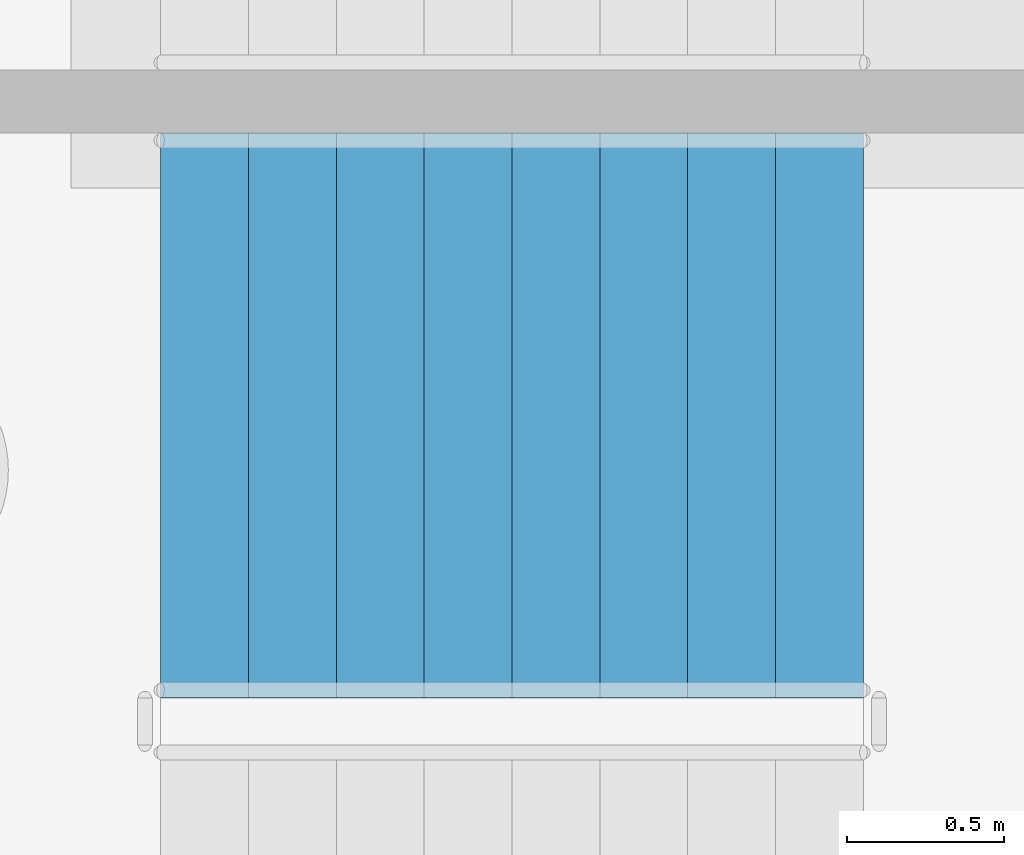
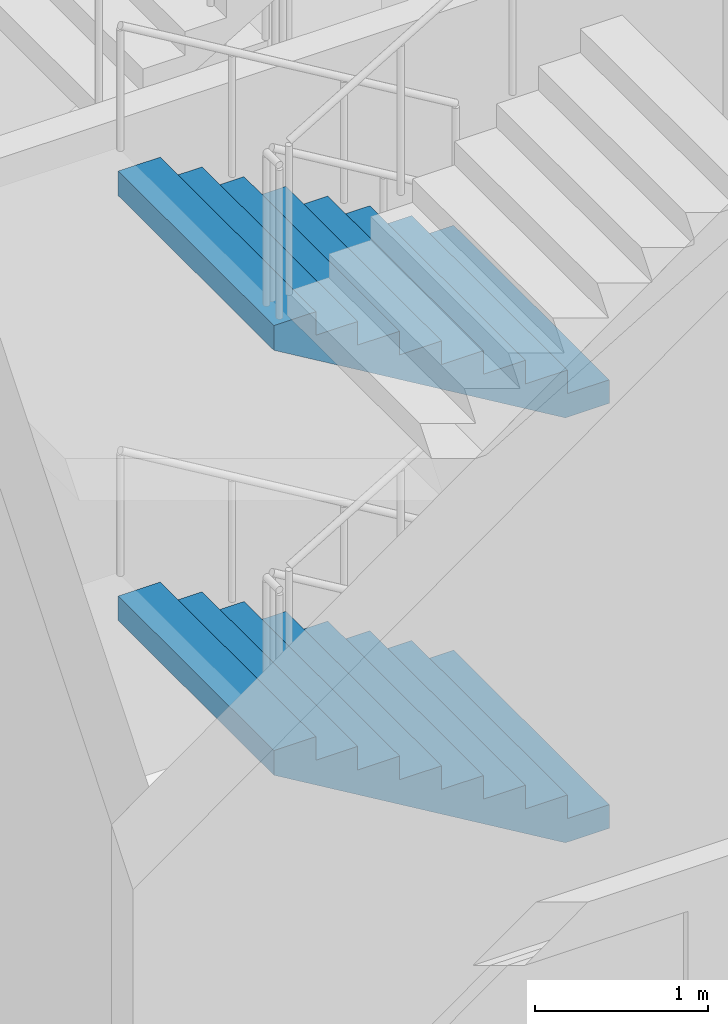
# One storey, part 20 of 39: 2 stair flights, 1 element without a shape of its own.
"""IFC4 building model written with IfcOpenShell, lengths in metres."""

from ifc_helpers import new_model, si_unit, direction, frame, origin, place, context, subcontext, project, spatial, triangles, material, type_object, element, aggregate, save


model = new_model("IFC4")

# Units and contexts
model_context = context("Model", 3, precision=1e-05, world=origin(), true_north=direction((0.0, 1.0)))
body_context = subcontext(model_context, "Body", "Model", "MODEL_VIEW")
ifc_project = project(units=[si_unit("LENGTHUNIT", "METRE"), si_unit("AREAUNIT", "SQUARE_METRE"), si_unit("VOLUMEUNIT", "CUBIC_METRE"), si_unit("PLANEANGLEUNIT", "RADIAN"), si_unit("MASSUNIT", "GRAM", prefix="KILO")], contexts=[model_context])

# Site, building, storey
site_placement = place(None, origin())
site = spatial("IfcSite", under=ifc_project, at=site_placement, CompositionType="ELEMENT")
building_placement = place(site_placement, origin())
building = spatial("IfcBuilding", under=site, at=building_placement, Name="Magnolia Steps Interchange", CompositionType="ELEMENT")
storey_placement = place(building_placement, frame((0.0, 0.0, -11.39990234375)))
storey = spatial("IfcBuildingStorey", under=building, at=storey_placement, Name="B2", CompositionType="ELEMENT", Elevation=-11.39990234375)

# Stair, stair flights
ifc_material_1 = material(Name="Concrete C40", Category="concrete")
stair_type = type_object("IfcStairType", Name="Exit stair 1800", PredefinedType="HALF_TURN_STAIR", material=ifc_material_1)
stair_placement = place(storey_placement, origin())
stair = element("IfcStair", 1, at=stair_placement, inside=storey, type_object=stair_type, Name="B2 Stair 11", PredefinedType="HALF_TURN_STAIR")
ifc_material_2 = material(Name="Concrete C40", Category="concrete")
stair_flight_type = type_object("IfcStairFlightType", Name="Exit stair flight", PredefinedType="STRAIGHT", material=ifc_material_2)
stair_flight_1_placement = place(storey_placement, frame((100.72509765625, 62.97509765625, 0.0), z_axis=(0.0, 0.0, 1.0), x_axis=(-1.0, 0.0, 0.0)))
stair_flight_1 = element("IfcStairFlight", 2, at=stair_flight_1_placement, type_object=stair_flight_type, Name="Stair 11 flight 1", NumberOfRisers=9, NumberOfTreads=8, PredefinedType="STRAIGHT", RiserHeight=0.166666667, TreadLength=0.28, context=body_context, shape_type="Tessellation", body=[
    triangles([(0.0, -0.9000244140625, 0.0), (0.29296875, -0.9000244140625, 0.0), (2.239990234375, -0.9000244140625, 1.158935546875), (2.239990234375, -0.9000244140625, 1.333251953125), (1.9599609375, -0.9000244140625, 1.333251953125), (1.9599609375, -0.9000244140625, 1.166748046875), (1.679931640625, -0.9000244140625, 1.166748046875), (1.679931640625, -0.9000244140625, 1.0), (1.39990234375, -0.9000244140625, 1.0), (1.39990234375, -0.9000244140625, 0.833251953125), (1.1201171875, -0.9000244140625, 0.833251953125), (1.1201171875, -0.9000244140625, 0.666748046875), (0.840087890625, -0.9000244140625, 0.666748046875), (0.840087890625, -0.9000244140625, 0.5), (0.56005859375, -0.9000244140625, 0.5), (0.56005859375, -0.9000244140625, 0.333251953125), (0.280029296875, -0.9000244140625, 0.333251953125), (0.280029296875, -0.9000244140625, 0.166748046875), (0.0, -0.9000244140625, 0.166748046875), (0.0, 0.9000244140625, 0.0), (0.29296875, 0.9000244140625, 0.0), (2.239990234375, 0.9000244140625, 1.158935546875), (2.239990234375, 0.9000244140625, 1.333251953125), (1.9599609375, 0.9000244140625, 1.333251953125), (1.9599609375, 0.9000244140625, 1.166748046875), (1.679931640625, 0.9000244140625, 1.166748046875), (1.679931640625, 0.9000244140625, 1.0), (1.39990234375, 0.9000244140625, 1.0), (1.39990234375, 0.9000244140625, 0.833251953125), (1.1201171875, 0.9000244140625, 0.833251953125), (1.1201171875, 0.9000244140625, 0.666748046875), (0.840087890625, 0.9000244140625, 0.666748046875), (0.840087890625, 0.9000244140625, 0.5), (0.56005859375, 0.9000244140625, 0.5), (0.56005859375, 0.9000244140625, 0.333251953125), (0.280029296875, 0.9000244140625, 0.333251953125), (0.280029296875, 0.9000244140625, 0.166748046875), (0.0, 0.9000244140625, 0.166748046875), (0.0, 0.0, 0.0), (0.0, 0.0, 0.04168701171875), (0.0, 0.0, 0.0833740234375), (0.0, 0.0, 0.12506103515625), (0.0, 0.0, 0.166748046875), (0.0, -0.05, 0.0), (0.0, -0.05, 0.166748046875), (0.0, 0.05, 0.0), (0.0, 0.05, 0.166748046875), (0.046671549479166664, 0.0, 0.166748046875), (0.09334309895833333, 0.0, 0.166748046875), (0.1400146484375, 0.0, 0.166748046875), (0.18668619791666666, 0.0, 0.166748046875), (0.23335774739583334, 0.0, 0.166748046875), (0.280029296875, 0.0, 0.166748046875), (0.280029296875, -0.05, 0.166748046875), (0.280029296875, 0.05, 0.166748046875), (0.280029296875, 0.0, 0.2083740234375), (0.280029296875, 0.0, 0.25), (0.280029296875, 0.0, 0.2916259765625), (0.280029296875, 0.0, 0.333251953125), (0.280029296875, -0.05, 0.333251953125), (0.280029296875, 0.05, 0.333251953125), (0.3267008463541667, 0.0, 0.333251953125), (0.3733723958333333, 0.0, 0.333251953125), (0.4200439453125, 0.0, 0.333251953125), (0.46671549479166663, 0.0, 0.333251953125), (0.5133870442708334, 0.0, 0.333251953125), (0.56005859375, 0.0, 0.333251953125), (0.56005859375, -0.05, 0.333251953125), (0.56005859375, 0.05, 0.333251953125), (0.56005859375, 0.0, 0.37493896484375), (0.56005859375, 0.0, 0.4166259765625), (0.56005859375, 0.0, 0.45831298828125), (0.56005859375, 0.0, 0.5), (0.56005859375, -0.05, 0.5), (0.56005859375, 0.05, 0.5), (0.6067301432291666, 0.0, 0.5), (0.6534016927083334, 0.0, 0.5), (0.7000732421875, 0.0, 0.5), (0.7467447916666666, 0.0, 0.5), (0.7934163411458334, 0.0, 0.5), (0.840087890625, 0.0, 0.5), (0.840087890625, -0.05, 0.5), (0.840087890625, 0.05, 0.5), (0.840087890625, 0.0, 0.54168701171875), (0.840087890625, 0.0, 0.5833740234375), (0.840087890625, 0.0, 0.62506103515625), (0.840087890625, 0.0, 0.666748046875), (0.840087890625, -0.05, 0.666748046875), (0.840087890625, 0.05, 0.666748046875), (0.8867594401041666, 0.0, 0.666748046875), (0.9334309895833334, 0.0, 0.666748046875), (0.9801025390625, 0.0, 0.666748046875), (1.0267740885416667, 0.0, 0.666748046875), (1.0734456380208333, 0.0, 0.666748046875), (1.1201171875, 0.0, 0.666748046875), (1.1201171875, -0.05, 0.666748046875), (1.1201171875, 0.05, 0.666748046875), (1.1201171875, 0.0, 0.7083740234375), (1.1201171875, 0.0, 0.75), (1.1201171875, 0.0, 0.7916259765625), (1.1201171875, 0.0, 0.833251953125), (1.1201171875, -0.05, 0.833251953125), (1.1201171875, 0.05, 0.833251953125), (1.1900634765625, 0.0, 0.833251953125), (1.260009765625, 0.0, 0.833251953125), (1.3299560546875, 0.0, 0.833251953125), (1.39990234375, 0.0, 0.833251953125), (1.39990234375, -0.05, 0.833251953125), (1.39990234375, 0.05, 0.833251953125), (1.39990234375, 0.0, 0.87493896484375), (1.39990234375, 0.0, 0.9166259765625), (1.39990234375, 0.0, 0.95831298828125), (1.39990234375, 0.0, 1.0), (1.39990234375, -0.05, 1.0), (1.39990234375, 0.05, 1.0), (1.4465738932291667, 0.0, 1.0), (1.4932454427083333, 0.0, 1.0), (1.5399169921875, 0.0, 1.0), (1.5865885416666667, 0.0, 1.0), (1.6332600911458333, 0.0, 1.0), (1.679931640625, 0.0, 1.0), (1.679931640625, -0.05, 1.0), (1.679931640625, 0.05, 1.0), (1.679931640625, 0.0, 1.04168701171875), (1.679931640625, 0.0, 1.0833740234375), (1.679931640625, 0.0, 1.12506103515625), (1.679931640625, 0.0, 1.166748046875), (1.679931640625, -0.05, 1.166748046875), (1.679931640625, 0.05, 1.166748046875), (1.7266031901041667, 0.0, 1.166748046875), (1.7732747395833333, 0.0, 1.166748046875), (1.8199462890625, 0.0, 1.166748046875), (1.8666178385416667, 0.0, 1.166748046875), (1.9132893880208333, 0.0, 1.166748046875), (1.9599609375, 0.0, 1.166748046875), (1.9599609375, -0.05, 1.166748046875), (1.9599609375, 0.05, 1.166748046875), (1.9599609375, 0.0, 1.2083740234375), (1.9599609375, 0.0, 1.25), (1.9599609375, 0.0, 1.2916259765625), (1.9599609375, 0.0, 1.333251953125), (1.9599609375, -0.05, 1.333251953125), (1.9599609375, 0.05, 1.333251953125), (2.0066324869791665, 0.0, 1.333251953125), (2.0533040364583335, 0.0, 1.333251953125), (2.0999755859375, 0.0, 1.333251953125), (2.1466471354166665, 0.0, 1.333251953125), (2.1933186848958335, 0.0, 1.333251953125), (2.239990234375, 0.0, 1.333251953125), (2.239990234375, -0.05, 1.333251953125), (2.239990234375, 0.05, 1.333251953125), (2.239990234375, 0.0, 1.2896728515625), (2.239990234375, 0.0, 1.24609375), (2.239990234375, 0.0, 1.2025146484375), (2.239990234375, 0.0, 1.158935546875), (2.239990234375, -0.05, 1.158935546875), (2.239990234375, 0.05, 1.158935546875), (2.1827248965992645, 0.0, 1.1248492072610294), (2.1254595588235294, 0.0, 1.0907628676470589), (2.068194221047794, 0.0, 1.0566765280330883), (2.010928883272059, 0.0, 1.0225901884191178), (1.9536635454963236, 0.0, 0.9885038488051471), (1.8963982077205883, 0.0, 0.9544175091911764), (1.8391328699448528, 0.0, 0.9203311695772058), (1.7818675321691178, 0.0, 0.8862448299632353), (1.7246021943933822, 0.0, 0.8521584903492647), (1.6673368566176472, 0.0, 0.8180721507352942), (1.6100715188419117, 0.0, 0.7839858111213236), (1.5528061810661766, 0.0, 0.7498994715073529), (1.4955408432904411, 0.0, 0.7158131318933824), (1.4382755055147058, 0.0, 0.6817267922794117), (1.3810101677389706, 0.0, 0.6476404526654411), (1.3237448299632353, 0.0, 0.6135541130514706), (1.2664794921875, 0.0, 0.5794677734375), (1.2092141544117647, 0.0, 0.5453814338235294), (1.1519488166360294, 0.0, 0.5112950942095589), (1.0946834788602942, 0.0, 0.4772087545955882), (1.0374181410845589, 0.0, 0.44312241498161764), (0.9801528033088236, 0.0, 0.4090360753676471), (0.9228874655330883, 0.0, 0.3749497357536765), (0.865622127757353, 0.0, 0.34086339613970584), (0.8083567899816178, 0.0, 0.3067770565257353), (0.7510914522058822, 0.0, 0.2726907169117647), (0.693826114430147, 0.0, 0.23860437729779416), (0.6365607766544117, 0.0, 0.20451803768382348), (0.5792954388786764, 0.0, 0.17043169806985292), (0.5220301011029411, 0.0, 0.13634535845588225), (0.46476476332720584, 0.0, 0.10225901884191169), (0.40749942555147056, 0.0, 0.06817267922794112), (0.3502340877757353, 0.0, 0.03408633961397056), (0.29296875, 0.0, 0.0), (0.29296875, -0.05, 0.0), (0.29296875, 0.05, 0.0), (0.244140625, 0.0, 0.0), (0.1953125, 0.0, 0.0), (0.146484375, 0.0, 0.0), (0.09765625, 0.0, 0.0), (0.048828125, 0.0, 0.0)], [[1, 2, 3], [3, 4, 5], [3, 5, 6], [3, 6, 7], [3, 7, 8], [8, 9, 10], [3, 8, 10], [10, 11, 12], [3, 10, 12], [12, 13, 14], [3, 12, 14], [14, 15, 16], [3, 14, 16], [1, 3, 16], [16, 17, 18], [1, 16, 18], [18, 19, 1], [20, 22, 21], [22, 24, 23], [22, 25, 24], [22, 26, 25], [22, 27, 26], [27, 29, 28], [22, 29, 27], [29, 31, 30], [22, 31, 29], [31, 33, 32], [22, 33, 31], [33, 35, 34], [22, 35, 33], [20, 35, 22], [35, 37, 36], [20, 37, 35], [37, 20, 38], [1, 19, 45], [1, 45, 44], [44, 40, 39], [44, 41, 40], [44, 45, 41], [45, 42, 41], [45, 43, 42], [20, 47, 38], [20, 46, 47], [46, 39, 40], [46, 40, 41], [46, 41, 47], [47, 41, 42], [47, 42, 43], [19, 18, 54], [19, 54, 45], [45, 48, 43], [45, 49, 48], [45, 50, 49], [45, 54, 50], [54, 51, 50], [54, 52, 51], [54, 53, 52], [38, 55, 37], [38, 47, 55], [47, 43, 48], [47, 48, 49], [47, 49, 50], [47, 50, 55], [55, 50, 51], [55, 51, 52], [55, 52, 53], [18, 17, 60], [18, 60, 54], [54, 56, 53], [54, 57, 56], [54, 60, 57], [60, 58, 57], [60, 59, 58], [37, 61, 36], [37, 55, 61], [55, 53, 56], [55, 56, 57], [55, 57, 61], [61, 57, 58], [61, 58, 59], [17, 16, 68], [17, 68, 60], [60, 62, 59], [60, 63, 62], [60, 64, 63], [60, 68, 64], [68, 65, 64], [68, 66, 65], [68, 67, 66], [36, 69, 35], [36, 61, 69], [61, 59, 62], [61, 62, 63], [61, 63, 64], [61, 64, 69], [69, 64, 65], [69, 65, 66], [69, 66, 67], [16, 15, 74], [16, 74, 68], [68, 70, 67], [68, 71, 70], [68, 74, 71], [74, 72, 71], [74, 73, 72], [35, 75, 34], [35, 69, 75], [69, 67, 70], [69, 70, 71], [69, 71, 75], [75, 71, 72], [75, 72, 73], [15, 14, 82], [15, 82, 74], [74, 76, 73], [74, 77, 76], [74, 78, 77], [74, 82, 78], [82, 79, 78], [82, 80, 79], [82, 81, 80], [34, 83, 33], [34, 75, 83], [75, 73, 76], [75, 76, 77], [75, 77, 78], [75, 78, 83], [83, 78, 79], [83, 79, 80], [83, 80, 81], [14, 13, 88], [14, 88, 82], [82, 84, 81], [82, 85, 84], [82, 88, 85], [88, 86, 85], [88, 87, 86], [33, 89, 32], [33, 83, 89], [83, 81, 84], [83, 84, 85], [83, 85, 89], [89, 85, 86], [89, 86, 87], [13, 12, 96], [13, 96, 88], [88, 90, 87], [88, 91, 90], [88, 92, 91], [88, 96, 92], [96, 93, 92], [96, 94, 93], [96, 95, 94], [32, 97, 31], [32, 89, 97], [89, 87, 90], [89, 90, 91], [89, 91, 92], [89, 92, 97], [97, 92, 93], [97, 93, 94], [97, 94, 95], [12, 11, 102], [12, 102, 96], [96, 98, 95], [96, 99, 98], [96, 102, 99], [102, 100, 99], [102, 101, 100], [31, 103, 30], [31, 97, 103], [97, 95, 98], [97, 98, 99], [97, 99, 103], [103, 99, 100], [103, 100, 101], [11, 10, 108], [11, 108, 102], [102, 104, 101], [102, 105, 104], [102, 108, 105], [108, 106, 105], [108, 107, 106], [30, 109, 29], [30, 103, 109], [103, 101, 104], [103, 104, 105], [103, 105, 109], [109, 105, 106], [109, 106, 107], [10, 9, 114], [10, 114, 108], [108, 110, 107], [108, 111, 110], [108, 114, 111], [114, 112, 111], [114, 113, 112], [29, 115, 28], [29, 109, 115], [109, 107, 110], [109, 110, 111], [109, 111, 115], [115, 111, 112], [115, 112, 113], [9, 8, 122], [9, 122, 114], [114, 116, 113], [114, 117, 116], [114, 118, 117], [114, 122, 118], [122, 119, 118], [122, 120, 119], [122, 121, 120], [28, 123, 27], [28, 115, 123], [115, 113, 116], [115, 116, 117], [115, 117, 118], [115, 118, 123], [123, 118, 119], [123, 119, 120], [123, 120, 121], [8, 7, 128], [8, 128, 122], [122, 124, 121], [122, 125, 124], [122, 128, 125], [128, 126, 125], [128, 127, 126], [27, 129, 26], [27, 123, 129], [123, 121, 124], [123, 124, 125], [123, 125, 129], [129, 125, 126], [129, 126, 127], [7, 6, 136], [7, 136, 128], [128, 130, 127], [128, 131, 130], [128, 132, 131], [128, 136, 132], [136, 133, 132], [136, 134, 133], [136, 135, 134], [26, 137, 25], [26, 129, 137], [129, 127, 130], [129, 130, 131], [129, 131, 132], [129, 132, 137], [137, 132, 133], [137, 133, 134], [137, 134, 135], [6, 5, 142], [6, 142, 136], [136, 138, 135], [136, 139, 138], [136, 142, 139], [142, 140, 139], [142, 141, 140], [25, 143, 24], [25, 137, 143], [137, 135, 138], [137, 138, 139], [137, 139, 143], [143, 139, 140], [143, 140, 141], [5, 4, 150], [5, 150, 142], [142, 144, 141], [142, 145, 144], [142, 146, 145], [142, 150, 146], [150, 147, 146], [150, 148, 147], [150, 149, 148], [24, 151, 23], [24, 143, 151], [143, 141, 144], [143, 144, 145], [143, 145, 146], [143, 146, 151], [151, 146, 147], [151, 147, 148], [151, 148, 149], [4, 3, 156], [4, 156, 150], [150, 152, 149], [150, 153, 152], [150, 156, 153], [156, 154, 153], [156, 155, 154], [23, 157, 22], [23, 151, 157], [151, 149, 152], [151, 152, 153], [151, 153, 157], [157, 153, 154], [157, 154, 155], [3, 2, 192], [3, 192, 156], [156, 158, 155], [156, 159, 158], [156, 160, 159], [156, 161, 160], [156, 162, 161], [156, 163, 162], [156, 164, 163], [156, 165, 164], [156, 166, 165], [156, 167, 166], [156, 168, 167], [156, 169, 168], [156, 170, 169], [156, 171, 170], [156, 172, 171], [156, 173, 172], [156, 174, 173], [156, 192, 174], [192, 175, 174], [192, 176, 175], [192, 177, 176], [192, 178, 177], [192, 179, 178], [192, 180, 179], [192, 181, 180], [192, 182, 181], [192, 183, 182], [192, 184, 183], [192, 185, 184], [192, 186, 185], [192, 187, 186], [192, 188, 187], [192, 189, 188], [192, 190, 189], [192, 191, 190], [22, 193, 21], [22, 157, 193], [157, 155, 158], [157, 158, 159], [157, 159, 160], [157, 160, 161], [157, 161, 162], [157, 162, 163], [157, 163, 164], [157, 164, 165], [157, 165, 166], [157, 166, 167], [157, 167, 168], [157, 168, 169], [157, 169, 170], [157, 170, 171], [157, 171, 172], [157, 172, 173], [157, 173, 174], [157, 174, 193], [193, 174, 175], [193, 175, 176], [193, 176, 177], [193, 177, 178], [193, 178, 179], [193, 179, 180], [193, 180, 181], [193, 181, 182], [193, 182, 183], [193, 183, 184], [193, 184, 185], [193, 185, 186], [193, 186, 187], [193, 187, 188], [193, 188, 189], [193, 189, 190], [193, 190, 191], [2, 1, 44], [2, 44, 192], [192, 194, 191], [192, 195, 194], [192, 196, 195], [192, 44, 196], [44, 197, 196], [44, 198, 197], [44, 39, 198], [21, 46, 20], [21, 193, 46], [193, 191, 194], [193, 194, 195], [193, 195, 196], [193, 196, 46], [46, 196, 197], [46, 197, 198], [46, 198, 39]], closed=True),
])
stair_flight_2_placement = place(storey_placement, frame((100.72509765625, 62.97509765625, 3.0), z_axis=(0.0, 0.0, 1.0), x_axis=(-1.0, 0.0, 0.0)))
stair_flight_2 = element("IfcStairFlight", 3, at=stair_flight_2_placement, type_object=stair_flight_type, Name="Stair 11 flight 3", NumberOfRisers=9, NumberOfTreads=8, PredefinedType="STRAIGHT", RiserHeight=0.166666667, TreadLength=0.28, context=body_context, shape_type="Tessellation", body=[
    triangles([(0.0, -0.9000244140625, 0.0), (0.29296875, -0.9000244140625, 0.0), (2.239990234375, -0.9000244140625, 1.158935546875), (2.239990234375, -0.9000244140625, 1.333251953125), (1.9599609375, -0.9000244140625, 1.333251953125), (1.9599609375, -0.9000244140625, 1.166748046875), (1.679931640625, -0.9000244140625, 1.166748046875), (1.679931640625, -0.9000244140625, 1.0), (1.39990234375, -0.9000244140625, 1.0), (1.39990234375, -0.9000244140625, 0.833251953125), (1.1201171875, -0.9000244140625, 0.833251953125), (1.1201171875, -0.9000244140625, 0.666748046875), (0.840087890625, -0.9000244140625, 0.666748046875), (0.840087890625, -0.9000244140625, 0.5), (0.56005859375, -0.9000244140625, 0.5), (0.56005859375, -0.9000244140625, 0.333251953125), (0.280029296875, -0.9000244140625, 0.333251953125), (0.280029296875, -0.9000244140625, 0.166748046875), (0.0, -0.9000244140625, 0.166748046875), (0.0, 0.9000244140625, 0.0), (0.29296875, 0.9000244140625, 0.0), (2.239990234375, 0.9000244140625, 1.158935546875), (2.239990234375, 0.9000244140625, 1.333251953125), (1.9599609375, 0.9000244140625, 1.333251953125), (1.9599609375, 0.9000244140625, 1.166748046875), (1.679931640625, 0.9000244140625, 1.166748046875), (1.679931640625, 0.9000244140625, 1.0), (1.39990234375, 0.9000244140625, 1.0), (1.39990234375, 0.9000244140625, 0.833251953125), (1.1201171875, 0.9000244140625, 0.833251953125), (1.1201171875, 0.9000244140625, 0.666748046875), (0.840087890625, 0.9000244140625, 0.666748046875), (0.840087890625, 0.9000244140625, 0.5), (0.56005859375, 0.9000244140625, 0.5), (0.56005859375, 0.9000244140625, 0.333251953125), (0.280029296875, 0.9000244140625, 0.333251953125), (0.280029296875, 0.9000244140625, 0.166748046875), (0.0, 0.9000244140625, 0.166748046875), (0.0, 0.0, 0.0), (0.0, 0.0, 0.04168701171875), (0.0, 0.0, 0.0833740234375), (0.0, 0.0, 0.12506103515625), (0.0, 0.0, 0.166748046875), (0.0, -0.05, 0.0), (0.0, -0.05, 0.166748046875), (0.0, 0.05, 0.0), (0.0, 0.05, 0.166748046875), (0.046671549479166664, 0.0, 0.166748046875), (0.09334309895833333, 0.0, 0.166748046875), (0.1400146484375, 0.0, 0.166748046875), (0.18668619791666666, 0.0, 0.166748046875), (0.23335774739583334, 0.0, 0.166748046875), (0.280029296875, 0.0, 0.166748046875), (0.280029296875, -0.05, 0.166748046875), (0.280029296875, 0.05, 0.166748046875), (0.280029296875, 0.0, 0.2083740234375), (0.280029296875, 0.0, 0.25), (0.280029296875, 0.0, 0.2916259765625), (0.280029296875, 0.0, 0.333251953125), (0.280029296875, -0.05, 0.333251953125), (0.280029296875, 0.05, 0.333251953125), (0.3267008463541667, 0.0, 0.333251953125), (0.3733723958333333, 0.0, 0.333251953125), (0.4200439453125, 0.0, 0.333251953125), (0.46671549479166663, 0.0, 0.333251953125), (0.5133870442708334, 0.0, 0.333251953125), (0.56005859375, 0.0, 0.333251953125), (0.56005859375, -0.05, 0.333251953125), (0.56005859375, 0.05, 0.333251953125), (0.56005859375, 0.0, 0.37493896484375), (0.56005859375, 0.0, 0.4166259765625), (0.56005859375, 0.0, 0.45831298828125), (0.56005859375, 0.0, 0.5), (0.56005859375, -0.05, 0.5), (0.56005859375, 0.05, 0.5), (0.6067301432291666, 0.0, 0.5), (0.6534016927083334, 0.0, 0.5), (0.7000732421875, 0.0, 0.5), (0.7467447916666666, 0.0, 0.5), (0.7934163411458334, 0.0, 0.5), (0.840087890625, 0.0, 0.5), (0.840087890625, -0.05, 0.5), (0.840087890625, 0.05, 0.5), (0.840087890625, 0.0, 0.54168701171875), (0.840087890625, 0.0, 0.5833740234375), (0.840087890625, 0.0, 0.62506103515625), (0.840087890625, 0.0, 0.666748046875), (0.840087890625, -0.05, 0.666748046875), (0.840087890625, 0.05, 0.666748046875), (0.8867594401041666, 0.0, 0.666748046875), (0.9334309895833334, 0.0, 0.666748046875), (0.9801025390625, 0.0, 0.666748046875), (1.0267740885416667, 0.0, 0.666748046875), (1.0734456380208333, 0.0, 0.666748046875), (1.1201171875, 0.0, 0.666748046875), (1.1201171875, -0.05, 0.666748046875), (1.1201171875, 0.05, 0.666748046875), (1.1201171875, 0.0, 0.7083740234375), (1.1201171875, 0.0, 0.75), (1.1201171875, 0.0, 0.7916259765625), (1.1201171875, 0.0, 0.833251953125), (1.1201171875, -0.05, 0.833251953125), (1.1201171875, 0.05, 0.833251953125), (1.1900634765625, 0.0, 0.833251953125), (1.260009765625, 0.0, 0.833251953125), (1.3299560546875, 0.0, 0.833251953125), (1.39990234375, 0.0, 0.833251953125), (1.39990234375, -0.05, 0.833251953125), (1.39990234375, 0.05, 0.833251953125), (1.39990234375, 0.0, 0.87493896484375), (1.39990234375, 0.0, 0.9166259765625), (1.39990234375, 0.0, 0.95831298828125), (1.39990234375, 0.0, 1.0), (1.39990234375, -0.05, 1.0), (1.39990234375, 0.05, 1.0), (1.4465738932291667, 0.0, 1.0), (1.4932454427083333, 0.0, 1.0), (1.5399169921875, 0.0, 1.0), (1.5865885416666667, 0.0, 1.0), (1.6332600911458333, 0.0, 1.0), (1.679931640625, 0.0, 1.0), (1.679931640625, -0.05, 1.0), (1.679931640625, 0.05, 1.0), (1.679931640625, 0.0, 1.04168701171875), (1.679931640625, 0.0, 1.0833740234375), (1.679931640625, 0.0, 1.12506103515625), (1.679931640625, 0.0, 1.166748046875), (1.679931640625, -0.05, 1.166748046875), (1.679931640625, 0.05, 1.166748046875), (1.7266031901041667, 0.0, 1.166748046875), (1.7732747395833333, 0.0, 1.166748046875), (1.8199462890625, 0.0, 1.166748046875), (1.8666178385416667, 0.0, 1.166748046875), (1.9132893880208333, 0.0, 1.166748046875), (1.9599609375, 0.0, 1.166748046875), (1.9599609375, -0.05, 1.166748046875), (1.9599609375, 0.05, 1.166748046875), (1.9599609375, 0.0, 1.2083740234375), (1.9599609375, 0.0, 1.25), (1.9599609375, 0.0, 1.2916259765625), (1.9599609375, 0.0, 1.333251953125), (1.9599609375, -0.05, 1.333251953125), (1.9599609375, 0.05, 1.333251953125), (2.0066324869791665, 0.0, 1.333251953125), (2.0533040364583335, 0.0, 1.333251953125), (2.0999755859375, 0.0, 1.333251953125), (2.1466471354166665, 0.0, 1.333251953125), (2.1933186848958335, 0.0, 1.333251953125), (2.239990234375, 0.0, 1.333251953125), (2.239990234375, -0.05, 1.333251953125), (2.239990234375, 0.05, 1.333251953125), (2.239990234375, 0.0, 1.2896728515625), (2.239990234375, 0.0, 1.24609375), (2.239990234375, 0.0, 1.2025146484375), (2.239990234375, 0.0, 1.158935546875), (2.239990234375, -0.05, 1.158935546875), (2.239990234375, 0.05, 1.158935546875), (2.1827248965992645, 0.0, 1.1248492072610294), (2.1254595588235294, 0.0, 1.0907628676470589), (2.068194221047794, 0.0, 1.0566765280330883), (2.010928883272059, 0.0, 1.0225901884191178), (1.9536635454963236, 0.0, 0.9885038488051471), (1.8963982077205883, 0.0, 0.9544175091911764), (1.8391328699448528, 0.0, 0.9203311695772058), (1.7818675321691178, 0.0, 0.8862448299632353), (1.7246021943933822, 0.0, 0.8521584903492647), (1.6673368566176472, 0.0, 0.8180721507352942), (1.6100715188419117, 0.0, 0.7839858111213236), (1.5528061810661766, 0.0, 0.7498994715073529), (1.4955408432904411, 0.0, 0.7158131318933824), (1.4382755055147058, 0.0, 0.6817267922794117), (1.3810101677389706, 0.0, 0.6476404526654411), (1.3237448299632353, 0.0, 0.6135541130514706), (1.2664794921875, 0.0, 0.5794677734375), (1.2092141544117647, 0.0, 0.5453814338235294), (1.1519488166360294, 0.0, 0.5112950942095589), (1.0946834788602942, 0.0, 0.4772087545955882), (1.0374181410845589, 0.0, 0.44312241498161764), (0.9801528033088236, 0.0, 0.4090360753676471), (0.9228874655330883, 0.0, 0.3749497357536765), (0.865622127757353, 0.0, 0.34086339613970584), (0.8083567899816178, 0.0, 0.3067770565257353), (0.7510914522058822, 0.0, 0.2726907169117647), (0.693826114430147, 0.0, 0.23860437729779416), (0.6365607766544117, 0.0, 0.20451803768382348), (0.5792954388786764, 0.0, 0.17043169806985292), (0.5220301011029411, 0.0, 0.13634535845588225), (0.46476476332720584, 0.0, 0.10225901884191169), (0.40749942555147056, 0.0, 0.06817267922794112), (0.3502340877757353, 0.0, 0.03408633961397056), (0.29296875, 0.0, 0.0), (0.29296875, -0.05, 0.0), (0.29296875, 0.05, 0.0), (0.244140625, 0.0, 0.0), (0.1953125, 0.0, 0.0), (0.146484375, 0.0, 0.0), (0.09765625, 0.0, 0.0), (0.048828125, 0.0, 0.0)], [[1, 2, 3], [3, 4, 5], [3, 5, 6], [3, 6, 7], [3, 7, 8], [8, 9, 10], [3, 8, 10], [10, 11, 12], [3, 10, 12], [12, 13, 14], [3, 12, 14], [14, 15, 16], [3, 14, 16], [1, 3, 16], [16, 17, 18], [1, 16, 18], [18, 19, 1], [20, 22, 21], [22, 24, 23], [22, 25, 24], [22, 26, 25], [22, 27, 26], [27, 29, 28], [22, 29, 27], [29, 31, 30], [22, 31, 29], [31, 33, 32], [22, 33, 31], [33, 35, 34], [22, 35, 33], [20, 35, 22], [35, 37, 36], [20, 37, 35], [37, 20, 38], [1, 19, 45], [1, 45, 44], [44, 40, 39], [44, 41, 40], [44, 45, 41], [45, 42, 41], [45, 43, 42], [20, 47, 38], [20, 46, 47], [46, 39, 40], [46, 40, 41], [46, 41, 47], [47, 41, 42], [47, 42, 43], [19, 18, 54], [19, 54, 45], [45, 48, 43], [45, 49, 48], [45, 50, 49], [45, 54, 50], [54, 51, 50], [54, 52, 51], [54, 53, 52], [38, 55, 37], [38, 47, 55], [47, 43, 48], [47, 48, 49], [47, 49, 50], [47, 50, 55], [55, 50, 51], [55, 51, 52], [55, 52, 53], [18, 17, 60], [18, 60, 54], [54, 56, 53], [54, 57, 56], [54, 60, 57], [60, 58, 57], [60, 59, 58], [37, 61, 36], [37, 55, 61], [55, 53, 56], [55, 56, 57], [55, 57, 61], [61, 57, 58], [61, 58, 59], [17, 16, 68], [17, 68, 60], [60, 62, 59], [60, 63, 62], [60, 64, 63], [60, 68, 64], [68, 65, 64], [68, 66, 65], [68, 67, 66], [36, 69, 35], [36, 61, 69], [61, 59, 62], [61, 62, 63], [61, 63, 64], [61, 64, 69], [69, 64, 65], [69, 65, 66], [69, 66, 67], [16, 15, 74], [16, 74, 68], [68, 70, 67], [68, 71, 70], [68, 74, 71], [74, 72, 71], [74, 73, 72], [35, 75, 34], [35, 69, 75], [69, 67, 70], [69, 70, 71], [69, 71, 75], [75, 71, 72], [75, 72, 73], [15, 14, 82], [15, 82, 74], [74, 76, 73], [74, 77, 76], [74, 78, 77], [74, 82, 78], [82, 79, 78], [82, 80, 79], [82, 81, 80], [34, 83, 33], [34, 75, 83], [75, 73, 76], [75, 76, 77], [75, 77, 78], [75, 78, 83], [83, 78, 79], [83, 79, 80], [83, 80, 81], [14, 13, 88], [14, 88, 82], [82, 84, 81], [82, 85, 84], [82, 88, 85], [88, 86, 85], [88, 87, 86], [33, 89, 32], [33, 83, 89], [83, 81, 84], [83, 84, 85], [83, 85, 89], [89, 85, 86], [89, 86, 87], [13, 12, 96], [13, 96, 88], [88, 90, 87], [88, 91, 90], [88, 92, 91], [88, 96, 92], [96, 93, 92], [96, 94, 93], [96, 95, 94], [32, 97, 31], [32, 89, 97], [89, 87, 90], [89, 90, 91], [89, 91, 92], [89, 92, 97], [97, 92, 93], [97, 93, 94], [97, 94, 95], [12, 11, 102], [12, 102, 96], [96, 98, 95], [96, 99, 98], [96, 102, 99], [102, 100, 99], [102, 101, 100], [31, 103, 30], [31, 97, 103], [97, 95, 98], [97, 98, 99], [97, 99, 103], [103, 99, 100], [103, 100, 101], [11, 10, 108], [11, 108, 102], [102, 104, 101], [102, 105, 104], [102, 108, 105], [108, 106, 105], [108, 107, 106], [30, 109, 29], [30, 103, 109], [103, 101, 104], [103, 104, 105], [103, 105, 109], [109, 105, 106], [109, 106, 107], [10, 9, 114], [10, 114, 108], [108, 110, 107], [108, 111, 110], [108, 114, 111], [114, 112, 111], [114, 113, 112], [29, 115, 28], [29, 109, 115], [109, 107, 110], [109, 110, 111], [109, 111, 115], [115, 111, 112], [115, 112, 113], [9, 8, 122], [9, 122, 114], [114, 116, 113], [114, 117, 116], [114, 118, 117], [114, 122, 118], [122, 119, 118], [122, 120, 119], [122, 121, 120], [28, 123, 27], [28, 115, 123], [115, 113, 116], [115, 116, 117], [115, 117, 118], [115, 118, 123], [123, 118, 119], [123, 119, 120], [123, 120, 121], [8, 7, 128], [8, 128, 122], [122, 124, 121], [122, 125, 124], [122, 128, 125], [128, 126, 125], [128, 127, 126], [27, 129, 26], [27, 123, 129], [123, 121, 124], [123, 124, 125], [123, 125, 129], [129, 125, 126], [129, 126, 127], [7, 6, 136], [7, 136, 128], [128, 130, 127], [128, 131, 130], [128, 132, 131], [128, 136, 132], [136, 133, 132], [136, 134, 133], [136, 135, 134], [26, 137, 25], [26, 129, 137], [129, 127, 130], [129, 130, 131], [129, 131, 132], [129, 132, 137], [137, 132, 133], [137, 133, 134], [137, 134, 135], [6, 5, 142], [6, 142, 136], [136, 138, 135], [136, 139, 138], [136, 142, 139], [142, 140, 139], [142, 141, 140], [25, 143, 24], [25, 137, 143], [137, 135, 138], [137, 138, 139], [137, 139, 143], [143, 139, 140], [143, 140, 141], [5, 4, 150], [5, 150, 142], [142, 144, 141], [142, 145, 144], [142, 146, 145], [142, 150, 146], [150, 147, 146], [150, 148, 147], [150, 149, 148], [24, 151, 23], [24, 143, 151], [143, 141, 144], [143, 144, 145], [143, 145, 146], [143, 146, 151], [151, 146, 147], [151, 147, 148], [151, 148, 149], [4, 3, 156], [4, 156, 150], [150, 152, 149], [150, 153, 152], [150, 156, 153], [156, 154, 153], [156, 155, 154], [23, 157, 22], [23, 151, 157], [151, 149, 152], [151, 152, 153], [151, 153, 157], [157, 153, 154], [157, 154, 155], [3, 2, 192], [3, 192, 156], [156, 158, 155], [156, 159, 158], [156, 160, 159], [156, 161, 160], [156, 162, 161], [156, 163, 162], [156, 164, 163], [156, 165, 164], [156, 166, 165], [156, 167, 166], [156, 168, 167], [156, 169, 168], [156, 170, 169], [156, 171, 170], [156, 172, 171], [156, 173, 172], [156, 174, 173], [156, 192, 174], [192, 175, 174], [192, 176, 175], [192, 177, 176], [192, 178, 177], [192, 179, 178], [192, 180, 179], [192, 181, 180], [192, 182, 181], [192, 183, 182], [192, 184, 183], [192, 185, 184], [192, 186, 185], [192, 187, 186], [192, 188, 187], [192, 189, 188], [192, 190, 189], [192, 191, 190], [22, 193, 21], [22, 157, 193], [157, 155, 158], [157, 158, 159], [157, 159, 160], [157, 160, 161], [157, 161, 162], [157, 162, 163], [157, 163, 164], [157, 164, 165], [157, 165, 166], [157, 166, 167], [157, 167, 168], [157, 168, 169], [157, 169, 170], [157, 170, 171], [157, 171, 172], [157, 172, 173], [157, 173, 174], [157, 174, 193], [193, 174, 175], [193, 175, 176], [193, 176, 177], [193, 177, 178], [193, 178, 179], [193, 179, 180], [193, 180, 181], [193, 181, 182], [193, 182, 183], [193, 183, 184], [193, 184, 185], [193, 185, 186], [193, 186, 187], [193, 187, 188], [193, 188, 189], [193, 189, 190], [193, 190, 191], [2, 1, 44], [2, 44, 192], [192, 194, 191], [192, 195, 194], [192, 196, 195], [192, 44, 196], [44, 197, 196], [44, 198, 197], [44, 39, 198], [21, 46, 20], [21, 193, 46], [193, 191, 194], [193, 194, 195], [193, 195, 196], [193, 196, 46], [46, 196, 197], [46, 197, 198], [46, 198, 39]], closed=True),
])
aggregate(stair, [stair_flight_1, stair_flight_2])

save(model, "model.ifc")
